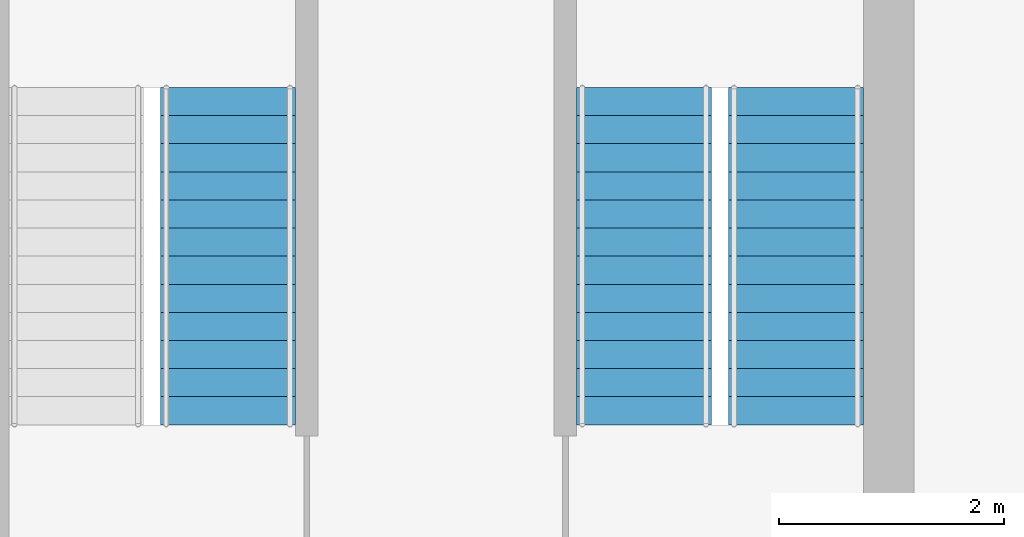
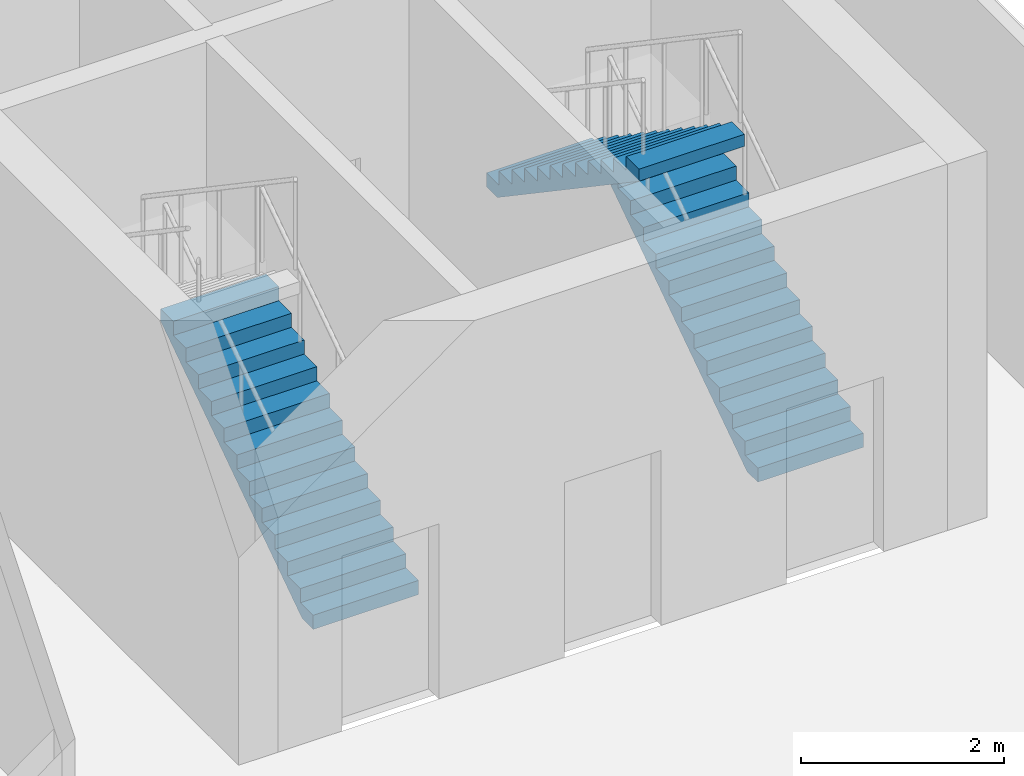
# One storey, part 10 of 13: 3 stair flights, 2 elements without a shape of their own.
"""IFC4 building model written with IfcOpenShell, lengths in metres."""

from ifc_helpers import new_model, si_unit, direction, frame, origin, place, context, subcontext, project, spatial, polyline, outline, extrude, material, type_object, element, aggregate, save


model = new_model("IFC4")

# Units and contexts
model_context = context("Model", 3, precision=1e-05, world=origin(), true_north=direction((0.0, 1.0)))
body_context = subcontext(model_context, "Body", "Model", "MODEL_VIEW")
ifc_project = project(units=[si_unit("LENGTHUNIT", "METRE"), si_unit("AREAUNIT", "SQUARE_METRE"), si_unit("VOLUMEUNIT", "CUBIC_METRE"), si_unit("PLANEANGLEUNIT", "RADIAN"), si_unit("MASSUNIT", "GRAM", prefix="KILO")], contexts=[model_context])

# Site, building, storey
site_placement = place(None, origin())
site = spatial("IfcSite", under=ifc_project, at=site_placement, CompositionType="ELEMENT")
building_placement = place(site_placement, origin())
building = spatial("IfcBuilding", under=site, at=building_placement, Name="Girih Gate Residences", CompositionType="ELEMENT")
storey_placement = place(building_placement, frame((0.0, 0.0, 159.39990234375)))
storey = spatial("IfcBuildingStorey", under=building, at=storey_placement, Name="L44", CompositionType="ELEMENT", Elevation=159.39990234375)

# Stair, stair flights
ifc_material = material(Name="Concrete C40/50", Category="concrete")
stair_type = type_object("IfcStairType", Name="Exit stair", PredefinedType="HALF_TURN_STAIR", material=ifc_material)
stair_1_placement = place(storey_placement, origin())
stair_1 = element("IfcStair", 1, at=stair_1_placement, inside=storey, type_object=stair_type, Name="L44 Exit Stair ST-E1", PredefinedType="HALF_TURN_STAIR")
stair_flight_type = type_object("IfcStairFlightType", Name="Stair flight 1200", PredefinedType="STRAIGHT", material=ifc_material)
stair_flight_1_placement = place(storey_placement, frame((43.699951171875, 28.89990234375, 0.0), z_axis=(0.0, 0.0, 1.0), x_axis=(0.0, 1.0, 0.0)))
stair_flight_1 = element("IfcStairFlight", 2, at=stair_flight_1_placement, type_object=stair_flight_type, Name="ST-E1 flight 1", NumberOfRisers=13, NumberOfTreads=12, PredefinedType="STRAIGHT", RiserHeight=0.169230769, TreadLength=0.25, context=body_context, shape_type="SweptSolid", body=[
    extrude(outline(polyline([(0.0, 0.0), (0.0, 0.169189453125), (0.25, 0.169189453125), (0.25, 0.33837890625), (0.5, 0.33837890625), (0.5, 0.5078125), (0.75, 0.5078125), (0.75, 0.677001953125), (1.0, 0.677001953125), (1.0, 0.84619140625), (1.25, 0.84619140625), (1.25, 1.015380859375), (1.5, 1.015380859375), (1.5, 1.1845703125), (1.75, 1.1845703125), (1.75, 1.353759765625), (2.0, 1.353759765625), (2.0, 1.523193359375), (2.25, 1.523193359375), (2.25, 1.6923828125), (2.5, 1.6923828125), (2.5, 1.861572265625), (2.75, 1.861572265625), (2.75, 2.03076171875), (3.0, 2.03076171875), (3.0, 2.199951171875), (3.0, 1.8857421875), (0.21435546875, 0.0), (0.0, 0.0)])), frame((0.0, 0.60009765625, 0.0), z_axis=(0.0, -1.0, 0.0), x_axis=(1.0, 0.0, 0.0)), (0.0, 0.0, 1.0), 1.199951171875),
])
stair_flight_2_placement = place(storey_placement, frame((42.35009765625, 31.89990234375, 2.2001953125), z_axis=(0.0, 0.0, 1.0), x_axis=(0.0, -1.0, 0.0)))
stair_flight_2 = element("IfcStairFlight", 3, at=stair_flight_2_placement, type_object=stair_flight_type, Name="ST-E1 flight 2", NumberOfRisers=13, NumberOfTreads=12, PredefinedType="STRAIGHT", RiserHeight=0.169230769, TreadLength=0.25, context=body_context, shape_type="SweptSolid", body=[
    extrude(outline(polyline([(0.0, 0.0), (0.0, 0.169189453125), (0.25, 0.169189453125), (0.25, 0.33837890625), (0.5, 0.33837890625), (0.5, 0.5078125), (0.75, 0.5078125), (0.75, 0.677001953125), (1.0, 0.677001953125), (1.0, 0.84619140625), (1.25, 0.84619140625), (1.25, 1.015380859375), (1.5, 1.015380859375), (1.5, 1.1845703125), (1.75, 1.1845703125), (1.75, 1.353759765625), (2.0, 1.353759765625), (2.0, 1.523193359375), (2.25, 1.523193359375), (2.25, 1.6923828125), (2.5, 1.6923828125), (2.5, 1.861572265625), (2.75, 1.861572265625), (2.75, 2.03076171875), (3.0, 2.03076171875), (3.0, 2.199951171875), (3.0, 1.8857421875), (0.21435546875, 0.0), (0.0, 0.0)])), frame((0.0, 0.60009765625, 0.0), z_axis=(0.0, -1.0, 0.0), x_axis=(1.0, 0.0, 0.0)), (0.0, 0.0, 1.0), 1.199951171875),
])
aggregate(stair_1, [stair_flight_1, stair_flight_2])

# Stair, stair flight
stair_2_placement = place(storey_placement, origin())
stair_2 = element("IfcStair", 4, at=stair_2_placement, inside=storey, type_object=stair_type, Name="L44 Exit Stair ST-E2", PredefinedType="HALF_TURN_STAIR")
stair_flight_3_placement = place(storey_placement, frame((38.64990234375, 28.89990234375, 0.0), z_axis=(0.0, 0.0, 1.0), x_axis=(0.0, 1.0, 0.0)))
stair_flight_3 = element("IfcStairFlight", 5, at=stair_flight_3_placement, type_object=stair_flight_type, Name="ST-E2 flight 1", NumberOfRisers=13, NumberOfTreads=12, PredefinedType="STRAIGHT", RiserHeight=0.169230769, TreadLength=0.25, context=body_context, shape_type="SweptSolid", body=[
    extrude(outline(polyline([(0.0, 0.0), (0.0, 0.169189453125), (0.25, 0.169189453125), (0.25, 0.33837890625), (0.5, 0.33837890625), (0.5, 0.5078125), (0.75, 0.5078125), (0.75, 0.677001953125), (1.0, 0.677001953125), (1.0, 0.84619140625), (1.25, 0.84619140625), (1.25, 1.015380859375), (1.5, 1.015380859375), (1.5, 1.1845703125), (1.75, 1.1845703125), (1.75, 1.353759765625), (2.0, 1.353759765625), (2.0, 1.523193359375), (2.25, 1.523193359375), (2.25, 1.6923828125), (2.5, 1.6923828125), (2.5, 1.861572265625), (2.75, 1.861572265625), (2.75, 2.03076171875), (3.0, 2.03076171875), (3.0, 2.199951171875), (3.0, 1.8857421875), (0.21435546875, 0.0), (0.0, 0.0)])), frame((0.0, 0.60009765625, 0.0), z_axis=(0.0, -1.0, 0.0), x_axis=(1.0, 0.0, 0.0)), (0.0, 0.0, 1.0), 1.199951171875),
])
aggregate(stair_2, [stair_flight_3])

save(model, "model.ifc")
